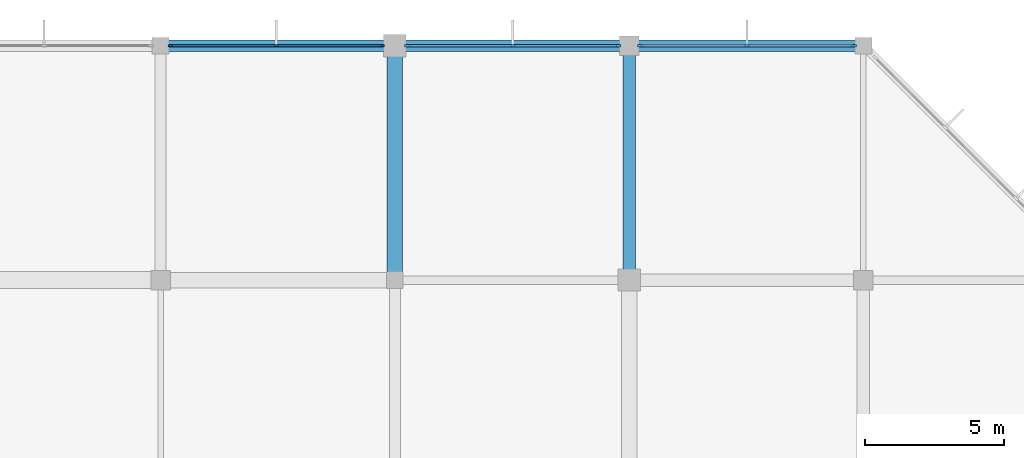
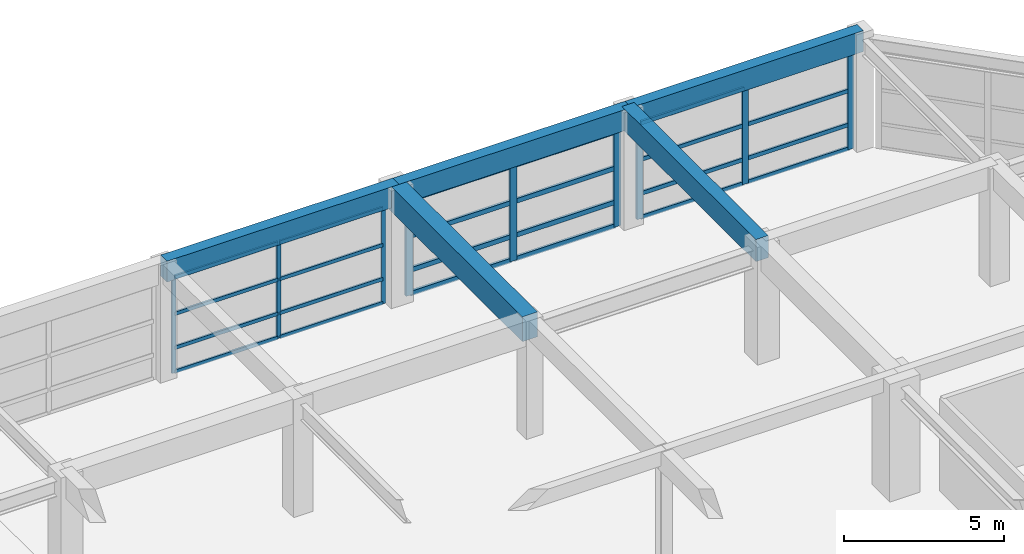
# One storey, part 40 of 62: 33 members, 5 beams, 3 elements without a shape of their own.
"""IFC4 building model written with IfcOpenShell, lengths in metres."""

from ifc_helpers import new_model, si_unit, direction, frame, origin, origin_2d, place, context, subcontext, project, spatial, rectangle, extrude, material, material_profile, profile_set, type_object, element, aggregate, save


model = new_model("IFC4")

# Units and contexts
model_context = context("Model", 3, precision=1e-05, world=origin(), true_north=direction((0.0, 1.0)))
body_context = subcontext(model_context, "Body", "Model", "MODEL_VIEW")
ifc_project = project(units=[si_unit("LENGTHUNIT", "METRE"), si_unit("AREAUNIT", "SQUARE_METRE"), si_unit("VOLUMEUNIT", "CUBIC_METRE"), si_unit("PLANEANGLEUNIT", "RADIAN"), si_unit("MASSUNIT", "GRAM", prefix="KILO")], contexts=[model_context])

# Site, building, storey
site_placement = place(None, origin())
site = spatial("IfcSite", under=ifc_project, at=site_placement, CompositionType="ELEMENT")
building_placement = place(site_placement, origin())
building = spatial("IfcBuilding", under=site, at=building_placement, Name="Xuanlan Plaza Opera House", CompositionType="ELEMENT")
storey_placement = place(building_placement, frame((0.0, 0.0, 14.39990234375)))
storey = spatial("IfcBuildingStorey", under=building, at=storey_placement, Name="L03", CompositionType="ELEMENT", Elevation=14.39990234375)

# Curtain wall, members
ifc_material_1 = material(Name="Anodised Aluminium 6063-T6 and Low-E Glass", Category="aluminium")
curtain_wall_type_1 = type_object("IfcCurtainWallType", Name="ENV-CW-CW-04", PredefinedType="USERDEFINED", material=ifc_material_1)
curtain_wall_1_placement = place(storey_placement, origin())
curtain_wall_1 = element("IfcCurtainWall", 1, at=curtain_wall_1_placement, inside=storey, type_object=curtain_wall_type_1, Name="Unitised Curtain Wall L03-031", ObjectType="UNITISED CURTAIN WALL", PredefinedType="USERDEFINED")
ifc_material_2 = material(Name="Anodised Aluminium 6063-T6", Category="aluminium")
ifc_material_profile_1 = material_profile(ifc_material_2, rectangle(XDim=0.06494140625, YDim=0.159912109375, at=origin_2d()), Name="ALU-M 65x160")
ifc_profile_set_1 = profile_set([ifc_material_profile_1], Name="Anodised Aluminium 6063-T6")
member_type_1 = type_object("IfcMemberType", Name="ENV-CWM-01", PredefinedType="MULLION", material=ifc_profile_set_1)
member_1_placement = place(storey_placement, frame((142.347412109375, 100.800048828125, 0.0), z_axis=(0.0, 0.0, 1.0), x_axis=(0.0, -1.0, 0.0)))
member_1 = element("IfcMember", 2, at=member_1_placement, type_object=member_type_1, Name="CW-04 mullion 1", PredefinedType="MULLION", context=body_context, shape_type="SweptSolid", body=[
    extrude(rectangle(XDim=0.06494140625, YDim=0.159912109375, at=origin_2d()), origin(), (0.0, 0.0, 1.0), 3.68017578125),
])
member_2_placement = place(storey_placement, frame((138.550048828125, 100.800048828125, 0.0), z_axis=(0.0, 0.0, 1.0), x_axis=(0.0, -1.0, 0.0)))
member_2 = element("IfcMember", 3, at=member_2_placement, type_object=member_type_1, Name="CW-04 mullion 2", PredefinedType="MULLION", context=body_context, shape_type="SweptSolid", body=[
    extrude(rectangle(XDim=0.06494140625, YDim=0.159912109375, at=origin_2d()), origin(), (0.0, 0.0, 1.0), 3.68017578125),
])
member_3_placement = place(storey_placement, frame((134.75244140625, 100.800048828125, 0.0), z_axis=(0.0, 0.0, 1.0), x_axis=(0.0, -1.0, 0.0)))
member_3 = element("IfcMember", 4, at=member_3_placement, type_object=member_type_1, Name="CW-04 mullion 3", PredefinedType="MULLION", context=body_context, shape_type="SweptSolid", body=[
    extrude(rectangle(XDim=0.06494140625, YDim=0.159912109375, at=origin_2d()), origin(), (0.0, 0.0, 1.0), 3.68017578125),
])

curtain_wall_type_2 = type_object("IfcCurtainWallType", Name="ENV-CW-CW-02", PredefinedType="USERDEFINED", material=ifc_material_1)
curtain_wall_2_placement = place(storey_placement, origin())
curtain_wall_2 = element("IfcCurtainWall", 5, at=curtain_wall_2_placement, inside=storey, type_object=curtain_wall_type_2, Name="Unitised Curtain Wall L03-029", ObjectType="UNITISED CURTAIN WALL", PredefinedType="USERDEFINED")
ifc_material_profile_2 = material_profile(ifc_material_2, rectangle(XDim=0.080078125, YDim=0.219970703125, at=origin_2d()), Name="ALU-M 80x220")
ifc_profile_set_2 = profile_set([ifc_material_profile_2], Name="Anodised Aluminium 6063-T6")
member_type_2 = type_object("IfcMemberType", Name="ENV-CWM-04", PredefinedType="MULLION", material=ifc_profile_set_2)
member_4_placement = place(storey_placement, frame((159.239990234375, 100.800048828125, 0.0), z_axis=(0.0, 0.0, 1.0), x_axis=(0.0, -1.0, 0.0)))
member_4 = element("IfcMember", 6, at=member_4_placement, type_object=member_type_2, Name="CW-02 mullion 1", PredefinedType="MULLION", context=body_context, shape_type="SweptSolid", body=[
    extrude(rectangle(XDim=0.080078125, YDim=0.219970703125, at=origin_2d()), origin(), (0.0, 0.0, 1.0), 3.68017578125),
])
member_5_placement = place(storey_placement, frame((155.425048828125, 100.800048828125, 0.0), z_axis=(0.0, 0.0, 1.0), x_axis=(0.0, -1.0, 0.0)))
member_5 = element("IfcMember", 7, at=member_5_placement, type_object=member_type_2, Name="CW-02 mullion 2", PredefinedType="MULLION", context=body_context, shape_type="SweptSolid", body=[
    extrude(rectangle(XDim=0.080078125, YDim=0.219970703125, at=origin_2d()), origin(), (0.0, 0.0, 1.0), 3.68017578125),
])
member_6_placement = place(storey_placement, frame((151.610107421875, 100.800048828125, 0.0), z_axis=(0.0, 0.0, 1.0), x_axis=(0.0, -1.0, 0.0)))
member_6 = element("IfcMember", 8, at=member_6_placement, type_object=member_type_2, Name="CW-02 mullion 3", PredefinedType="MULLION", context=body_context, shape_type="SweptSolid", body=[
    extrude(rectangle(XDim=0.080078125, YDim=0.219970703125, at=origin_2d()), origin(), (0.0, 0.0, 1.0), 3.68017578125),
])

curtain_wall_type_3 = type_object("IfcCurtainWallType", Name="ENV-CW-CW-03", PredefinedType="USERDEFINED", material=ifc_material_1)
curtain_wall_3_placement = place(storey_placement, origin())
curtain_wall_3 = element("IfcCurtainWall", 9, at=curtain_wall_3_placement, inside=storey, type_object=curtain_wall_type_3, Name="Unitised Curtain Wall L03-030", ObjectType="UNITISED CURTAIN WALL", PredefinedType="USERDEFINED")
ifc_material_profile_3 = material_profile(ifc_material_2, rectangle(XDim=0.090087890625, YDim=0.25, at=origin_2d()), Name="ALU-M 90x250")
ifc_profile_set_3 = profile_set([ifc_material_profile_3], Name="Anodised Aluminium 6063-T6")
member_type_3 = type_object("IfcMemberType", Name="ENV-CWM-05", PredefinedType="MULLION", material=ifc_profile_set_3)
member_7_placement = place(storey_placement, frame((150.784912109375, 100.800048828125, 0.0), z_axis=(0.0, 0.0, 1.0), x_axis=(0.0, -1.0, 0.0)))
member_7 = element("IfcMember", 10, at=member_7_placement, type_object=member_type_3, Name="CW-03 mullion 1", PredefinedType="MULLION", context=body_context, shape_type="SweptSolid", body=[
    extrude(rectangle(XDim=0.090087890625, YDim=0.25, at=origin_2d()), origin(), (0.0, 0.0, 1.0), 3.68017578125),
])
member_8_placement = place(storey_placement, frame((147.02490234375, 100.800048828125, 0.0), z_axis=(0.0, 0.0, 1.0), x_axis=(0.0, -1.0, 0.0)))
member_8 = element("IfcMember", 11, at=member_8_placement, type_object=member_type_3, Name="CW-03 mullion 2", PredefinedType="MULLION", context=body_context, shape_type="SweptSolid", body=[
    extrude(rectangle(XDim=0.090087890625, YDim=0.25, at=origin_2d()), origin(), (0.0, 0.0, 1.0), 3.68017578125),
])
member_9_placement = place(storey_placement, frame((143.264892578125, 100.800048828125, 0.0), z_axis=(0.0, 0.0, 1.0), x_axis=(0.0, -1.0, 0.0)))
member_9 = element("IfcMember", 12, at=member_9_placement, type_object=member_type_3, Name="CW-03 mullion 3", PredefinedType="MULLION", context=body_context, shape_type="SweptSolid", body=[
    extrude(rectangle(XDim=0.090087890625, YDim=0.25, at=origin_2d()), origin(), (0.0, 0.0, 1.0), 3.68017578125),
])

# Member
ifc_material_profile_4 = material_profile(ifc_material_2, rectangle(XDim=0.070068359375, YDim=0.135009765625, at=origin_2d()), Name="ALU-T 70x135")
ifc_profile_set_4 = profile_set([ifc_material_profile_4], Name="Anodised Aluminium 6063-T6")
member_type_4 = type_object("IfcMemberType", Name="ENV-CWT-02", PredefinedType="USERDEFINED", material=ifc_profile_set_4)
member_10_placement = place(storey_placement, frame((142.31494140625, 100.800048828125, 0.03515625), z_axis=(-1.0, 0.0, 0.0), x_axis=(0.0, -1.0, 0.0)))
member_10 = element("IfcMember", 13, at=member_10_placement, type_object=member_type_4, Name="CW-04 transom 1.1", ObjectType="TRANSOM", PredefinedType="USERDEFINED", context=body_context, shape_type="SweptSolid", body=[
    extrude(rectangle(XDim=0.070068359375, YDim=0.135009765625, at=origin_2d()), origin(), (0.0, 0.0, 1.0), 3.732421875),
])

member_11_placement = place(storey_placement, frame((142.31494140625, 100.800048828125, 0.9501953125), z_axis=(-1.0, 0.0, 0.0), x_axis=(0.0, -1.0, 0.0)))
member_11 = element("IfcMember", 14, at=member_11_placement, type_object=member_type_4, Name="CW-04 transom 1.2", ObjectType="TRANSOM", PredefinedType="USERDEFINED", context=body_context, shape_type="SweptSolid", body=[
    extrude(rectangle(XDim=0.070068359375, YDim=0.135009765625, at=origin_2d()), origin(), (0.0, 0.0, 1.0), 3.732421875),
])

member_12_placement = place(storey_placement, frame((142.31494140625, 100.800048828125, 2.25), z_axis=(-1.0, 0.0, 0.0), x_axis=(0.0, -1.0, 0.0)))
member_12 = element("IfcMember", 15, at=member_12_placement, type_object=member_type_4, Name="CW-04 transom 1.3", ObjectType="TRANSOM", PredefinedType="USERDEFINED", context=body_context, shape_type="SweptSolid", body=[
    extrude(rectangle(XDim=0.070068359375, YDim=0.135009765625, at=origin_2d()), origin(), (0.0, 0.0, 1.0), 3.732421875),
])

member_13_placement = place(storey_placement, frame((142.31494140625, 100.800048828125, 3.64501953125), z_axis=(-1.0, 0.0, 0.0), x_axis=(0.0, -1.0, 0.0)))
member_13 = element("IfcMember", 16, at=member_13_placement, type_object=member_type_4, Name="CW-04 transom 1.4", ObjectType="TRANSOM", PredefinedType="USERDEFINED", context=body_context, shape_type="SweptSolid", body=[
    extrude(rectangle(XDim=0.070068359375, YDim=0.135009765625, at=origin_2d()), origin(), (0.0, 0.0, 1.0), 3.732421875),
])

member_14_placement = place(storey_placement, frame((138.517578125, 100.800048828125, 0.03515625), z_axis=(-1.0, 0.0, 0.0), x_axis=(0.0, -1.0, 0.0)))
member_14 = element("IfcMember", 17, at=member_14_placement, type_object=member_type_4, Name="CW-04 transom 2.1", ObjectType="TRANSOM", PredefinedType="USERDEFINED", context=body_context, shape_type="SweptSolid", body=[
    extrude(rectangle(XDim=0.070068359375, YDim=0.135009765625, at=origin_2d()), origin(), (0.0, 0.0, 1.0), 3.732666015625),
])

member_15_placement = place(storey_placement, frame((138.517578125, 100.800048828125, 0.9501953125), z_axis=(-1.0, 0.0, 0.0), x_axis=(0.0, -1.0, 0.0)))
member_15 = element("IfcMember", 18, at=member_15_placement, type_object=member_type_4, Name="CW-04 transom 2.2", ObjectType="TRANSOM", PredefinedType="USERDEFINED", context=body_context, shape_type="SweptSolid", body=[
    extrude(rectangle(XDim=0.070068359375, YDim=0.135009765625, at=origin_2d()), origin(), (0.0, 0.0, 1.0), 3.732666015625),
])

member_16_placement = place(storey_placement, frame((138.517578125, 100.800048828125, 2.25), z_axis=(-1.0, 0.0, 0.0), x_axis=(0.0, -1.0, 0.0)))
member_16 = element("IfcMember", 19, at=member_16_placement, type_object=member_type_4, Name="CW-04 transom 2.3", ObjectType="TRANSOM", PredefinedType="USERDEFINED", context=body_context, shape_type="SweptSolid", body=[
    extrude(rectangle(XDim=0.070068359375, YDim=0.135009765625, at=origin_2d()), origin(), (0.0, 0.0, 1.0), 3.732666015625),
])

member_17_placement = place(storey_placement, frame((138.517578125, 100.800048828125, 3.64501953125), z_axis=(-1.0, 0.0, 0.0), x_axis=(0.0, -1.0, 0.0)))
member_17 = element("IfcMember", 20, at=member_17_placement, type_object=member_type_4, Name="CW-04 transom 2.4", ObjectType="TRANSOM", PredefinedType="USERDEFINED", context=body_context, shape_type="SweptSolid", body=[
    extrude(rectangle(XDim=0.070068359375, YDim=0.135009765625, at=origin_2d()), origin(), (0.0, 0.0, 1.0), 3.732666015625),
])

aggregate(curtain_wall_1, [member_1, member_2, member_3, member_10, member_11, member_12, member_13, member_14, member_15, member_16, member_17])

ifc_material_profile_5 = material_profile(ifc_material_2, rectangle(XDim=0.074951171875, YDim=0.14990234375, at=origin_2d()), Name="ALU-T 75x150")
ifc_profile_set_5 = profile_set([ifc_material_profile_5], Name="Anodised Aluminium 6063-T6")
member_type_5 = type_object("IfcMemberType", Name="ENV-CWT-03", PredefinedType="USERDEFINED", material=ifc_profile_set_5)
member_18_placement = place(storey_placement, frame((159.199951171875, 100.800048828125, 0.03759765625), z_axis=(-1.0, 0.0, 0.0), x_axis=(0.0, -1.0, 0.0)))
member_18 = element("IfcMember", 21, at=member_18_placement, type_object=member_type_5, Name="CW-02 transom 1.1", ObjectType="TRANSOM", PredefinedType="USERDEFINED", context=body_context, shape_type="SweptSolid", body=[
    extrude(rectangle(XDim=0.074951171875, YDim=0.14990234375, at=origin_2d()), origin(), (0.0, 0.0, 1.0), 3.73486328125),
])

member_19_placement = place(storey_placement, frame((159.199951171875, 100.800048828125, 0.9501953125), z_axis=(-1.0, 0.0, 0.0), x_axis=(0.0, -1.0, 0.0)))
member_19 = element("IfcMember", 22, at=member_19_placement, type_object=member_type_5, Name="CW-02 transom 1.2", ObjectType="TRANSOM", PredefinedType="USERDEFINED", context=body_context, shape_type="SweptSolid", body=[
    extrude(rectangle(XDim=0.074951171875, YDim=0.14990234375, at=origin_2d()), origin(), (0.0, 0.0, 1.0), 3.73486328125),
])

member_20_placement = place(storey_placement, frame((159.199951171875, 100.800048828125, 2.25), z_axis=(-1.0, 0.0, 0.0), x_axis=(0.0, -1.0, 0.0)))
member_20 = element("IfcMember", 23, at=member_20_placement, type_object=member_type_5, Name="CW-02 transom 1.3", ObjectType="TRANSOM", PredefinedType="USERDEFINED", context=body_context, shape_type="SweptSolid", body=[
    extrude(rectangle(XDim=0.074951171875, YDim=0.14990234375, at=origin_2d()), origin(), (0.0, 0.0, 1.0), 3.73486328125),
])

member_21_placement = place(storey_placement, frame((159.199951171875, 100.800048828125, 3.642578125), z_axis=(-1.0, 0.0, 0.0), x_axis=(0.0, -1.0, 0.0)))
member_21 = element("IfcMember", 24, at=member_21_placement, type_object=member_type_5, Name="CW-02 transom 1.4", ObjectType="TRANSOM", PredefinedType="USERDEFINED", context=body_context, shape_type="SweptSolid", body=[
    extrude(rectangle(XDim=0.074951171875, YDim=0.14990234375, at=origin_2d()), origin(), (0.0, 0.0, 1.0), 3.73486328125),
])

member_22_placement = place(storey_placement, frame((155.385009765625, 100.800048828125, 0.03759765625), z_axis=(-1.0, 0.0, 0.0), x_axis=(0.0, -1.0, 0.0)))
member_22 = element("IfcMember", 25, at=member_22_placement, type_object=member_type_5, Name="CW-02 transom 2.1", ObjectType="TRANSOM", PredefinedType="USERDEFINED", context=body_context, shape_type="SweptSolid", body=[
    extrude(rectangle(XDim=0.074951171875, YDim=0.14990234375, at=origin_2d()), origin(), (0.0, 0.0, 1.0), 3.735107421875),
])

member_23_placement = place(storey_placement, frame((155.385009765625, 100.800048828125, 0.9501953125), z_axis=(-1.0, 0.0, 0.0), x_axis=(0.0, -1.0, 0.0)))
member_23 = element("IfcMember", 26, at=member_23_placement, type_object=member_type_5, Name="CW-02 transom 2.2", ObjectType="TRANSOM", PredefinedType="USERDEFINED", context=body_context, shape_type="SweptSolid", body=[
    extrude(rectangle(XDim=0.074951171875, YDim=0.14990234375, at=origin_2d()), origin(), (0.0, 0.0, 1.0), 3.735107421875),
])

member_24_placement = place(storey_placement, frame((155.385009765625, 100.800048828125, 2.25), z_axis=(-1.0, 0.0, 0.0), x_axis=(0.0, -1.0, 0.0)))
member_24 = element("IfcMember", 27, at=member_24_placement, type_object=member_type_5, Name="CW-02 transom 2.3", ObjectType="TRANSOM", PredefinedType="USERDEFINED", context=body_context, shape_type="SweptSolid", body=[
    extrude(rectangle(XDim=0.074951171875, YDim=0.14990234375, at=origin_2d()), origin(), (0.0, 0.0, 1.0), 3.735107421875),
])

member_25_placement = place(storey_placement, frame((155.385009765625, 100.800048828125, 3.642578125), z_axis=(-1.0, 0.0, 0.0), x_axis=(0.0, -1.0, 0.0)))
member_25 = element("IfcMember", 28, at=member_25_placement, type_object=member_type_5, Name="CW-02 transom 2.4", ObjectType="TRANSOM", PredefinedType="USERDEFINED", context=body_context, shape_type="SweptSolid", body=[
    extrude(rectangle(XDim=0.074951171875, YDim=0.14990234375, at=origin_2d()), origin(), (0.0, 0.0, 1.0), 3.735107421875),
])

aggregate(curtain_wall_2, [member_4, member_5, member_6, member_18, member_19, member_20, member_21, member_22, member_23, member_24, member_25])

ifc_material_profile_6 = material_profile(ifc_material_2, rectangle(XDim=0.090087890625, YDim=0.179931640625, at=origin_2d()), Name="ALU-T 90x180")
ifc_profile_set_6 = profile_set([ifc_material_profile_6], Name="Anodised Aluminium 6063-T6")
member_type_6 = type_object("IfcMemberType", Name="ENV-CWT-05", PredefinedType="USERDEFINED", material=ifc_profile_set_6)
member_26_placement = place(storey_placement, frame((150.739990234375, 100.800048828125, 0.045166015625), z_axis=(-1.0, 0.0, 0.0), x_axis=(0.0, -1.0, 0.0)))
member_26 = element("IfcMember", 29, at=member_26_placement, type_object=member_type_6, Name="CW-03 transom 1.1", ObjectType="TRANSOM", PredefinedType="USERDEFINED", context=body_context, shape_type="SweptSolid", body=[
    extrude(rectangle(XDim=0.090087890625, YDim=0.179931640625, at=origin_2d()), origin(), (0.0, 0.0, 1.0), 3.669921875),
])

member_27_placement = place(storey_placement, frame((150.739990234375, 100.800048828125, 0.9501953125), z_axis=(-1.0, 0.0, 0.0), x_axis=(0.0, -1.0, 0.0)))
member_27 = element("IfcMember", 30, at=member_27_placement, type_object=member_type_6, Name="CW-03 transom 1.2", ObjectType="TRANSOM", PredefinedType="USERDEFINED", context=body_context, shape_type="SweptSolid", body=[
    extrude(rectangle(XDim=0.090087890625, YDim=0.179931640625, at=origin_2d()), origin(), (0.0, 0.0, 1.0), 3.669921875),
])

member_28_placement = place(storey_placement, frame((150.739990234375, 100.800048828125, 2.25), z_axis=(-1.0, 0.0, 0.0), x_axis=(0.0, -1.0, 0.0)))
member_28 = element("IfcMember", 31, at=member_28_placement, type_object=member_type_6, Name="CW-03 transom 1.3", ObjectType="TRANSOM", PredefinedType="USERDEFINED", context=body_context, shape_type="SweptSolid", body=[
    extrude(rectangle(XDim=0.090087890625, YDim=0.179931640625, at=origin_2d()), origin(), (0.0, 0.0, 1.0), 3.669921875),
])

member_29_placement = place(storey_placement, frame((150.739990234375, 100.800048828125, 3.635009765625), z_axis=(-1.0, 0.0, 0.0), x_axis=(0.0, -1.0, 0.0)))
member_29 = element("IfcMember", 32, at=member_29_placement, type_object=member_type_6, Name="CW-03 transom 1.4", ObjectType="TRANSOM", PredefinedType="USERDEFINED", context=body_context, shape_type="SweptSolid", body=[
    extrude(rectangle(XDim=0.090087890625, YDim=0.179931640625, at=origin_2d()), origin(), (0.0, 0.0, 1.0), 3.669921875),
])

member_30_placement = place(storey_placement, frame((146.97998046875, 100.800048828125, 0.045166015625), z_axis=(-1.0, 0.0, 0.0), x_axis=(0.0, -1.0, 0.0)))
member_30 = element("IfcMember", 33, at=member_30_placement, type_object=member_type_6, Name="CW-03 transom 2.1", ObjectType="TRANSOM", PredefinedType="USERDEFINED", context=body_context, shape_type="SweptSolid", body=[
    extrude(rectangle(XDim=0.090087890625, YDim=0.179931640625, at=origin_2d()), origin(), (0.0, 0.0, 1.0), 3.669921875),
])

member_31_placement = place(storey_placement, frame((146.97998046875, 100.800048828125, 0.9501953125), z_axis=(-1.0, 0.0, 0.0), x_axis=(0.0, -1.0, 0.0)))
member_31 = element("IfcMember", 34, at=member_31_placement, type_object=member_type_6, Name="CW-03 transom 2.2", ObjectType="TRANSOM", PredefinedType="USERDEFINED", context=body_context, shape_type="SweptSolid", body=[
    extrude(rectangle(XDim=0.090087890625, YDim=0.179931640625, at=origin_2d()), origin(), (0.0, 0.0, 1.0), 3.669921875),
])

member_32_placement = place(storey_placement, frame((146.97998046875, 100.800048828125, 2.25), z_axis=(-1.0, 0.0, 0.0), x_axis=(0.0, -1.0, 0.0)))
member_32 = element("IfcMember", 35, at=member_32_placement, type_object=member_type_6, Name="CW-03 transom 2.3", ObjectType="TRANSOM", PredefinedType="USERDEFINED", context=body_context, shape_type="SweptSolid", body=[
    extrude(rectangle(XDim=0.090087890625, YDim=0.179931640625, at=origin_2d()), origin(), (0.0, 0.0, 1.0), 3.669921875),
])

member_33_placement = place(storey_placement, frame((146.97998046875, 100.800048828125, 3.635009765625), z_axis=(-1.0, 0.0, 0.0), x_axis=(0.0, -1.0, 0.0)))
member_33 = element("IfcMember", 36, at=member_33_placement, type_object=member_type_6, Name="CW-03 transom 2.4", ObjectType="TRANSOM", PredefinedType="USERDEFINED", context=body_context, shape_type="SweptSolid", body=[
    extrude(rectangle(XDim=0.090087890625, YDim=0.179931640625, at=origin_2d()), origin(), (0.0, 0.0, 1.0), 3.669921875),
])

aggregate(curtain_wall_3, [member_7, member_8, member_9, member_26, member_27, member_28, member_29, member_30, member_31, member_32, member_33])

# Beams
ifc_material_3 = material(Name="Concrete C50", Category="concrete")
ifc_material_profile_7 = material_profile(ifc_material_3, rectangle(XDim=0.550048828125, YDim=0.949951171875, at=origin_2d()), Name="RC-BM 550x950")
ifc_profile_set_7 = profile_set([ifc_material_profile_7], Name="Concrete C50")
beam_type_1 = type_object("IfcBeamType", Name="STR-BM-B-02", PredefinedType="BEAM", material=ifc_profile_set_7)
beam_1_placement = place(storey_placement, frame((142.800048828125, 92.39990234375, 4.025146484375), z_axis=(0.0, 1.0, 0.0), x_axis=(-1.0, 0.0, 0.0)))
element("IfcBeam", 37, at=beam_1_placement, inside=storey, type_object=beam_type_1, Name="Grid Beam Y L03 18/L-M", PredefinedType="BEAM", context=body_context, shape_type="SweptSolid", body=[
    extrude(rectangle(XDim=0.550048828125, YDim=0.949951171875, at=origin_2d()), origin(), (0.0, 0.0, 1.0), 8.400146484375),
])
ifc_material_4 = material(Name="Concrete C40", Category="concrete")
ifc_material_profile_8 = material_profile(ifc_material_4, rectangle(XDim=0.449951171875, YDim=0.85009765625, at=origin_2d()), Name="RC-BM 450x850")
ifc_profile_set_8 = profile_set([ifc_material_profile_8], Name="Concrete C40")
beam_type_2 = type_object("IfcBeamType", Name="STR-BM-B-04", PredefinedType="BEAM", material=ifc_profile_set_8)
beam_2_placement = place(storey_placement, frame((151.199951171875, 92.39990234375, 4.0751953125), z_axis=(0.0, 1.0, 0.0), x_axis=(-1.0, 0.0, 0.0)))
element("IfcBeam", 38, at=beam_2_placement, inside=storey, type_object=beam_type_2, Name="Grid Beam Y L03 19/L-M", PredefinedType="BEAM", context=body_context, shape_type="SweptSolid", body=[
    extrude(rectangle(XDim=0.449951171875, YDim=0.85009765625, at=origin_2d()), origin(), (0.0, 0.0, 1.0), 8.400146484375),
])
ifc_material_profile_9 = material_profile(ifc_material_4, rectangle(XDim=0.39990234375, YDim=0.800048828125, at=origin_2d()), Name="RC-SPD 400x800")
ifc_profile_set_9 = profile_set([ifc_material_profile_9], Name="Concrete C40")
beam_type_3 = type_object("IfcBeamType", Name="STR-BM-SP-01", PredefinedType="SPANDREL", material=ifc_profile_set_9)
beam_3_placement = place(storey_placement, frame((134.39990234375, 100.800048828125, 4.10009765625), z_axis=(1.0, 0.0, 0.0), x_axis=(0.0, 1.0, 0.0)))
element("IfcBeam", 39, at=beam_3_placement, inside=storey, type_object=beam_type_3, Name="Grid Beam X L03 17-18/M", PredefinedType="SPANDREL", context=body_context, shape_type="SweptSolid", body=[
    extrude(rectangle(XDim=0.39990234375, YDim=0.800048828125, at=origin_2d()), origin(), (0.0, 0.0, 1.0), 8.400146484375),
])
beam_4_placement = place(storey_placement, frame((142.800048828125, 100.800048828125, 4.10009765625), z_axis=(1.0, 0.0, 0.0), x_axis=(0.0, 1.0, 0.0)))
element("IfcBeam", 40, at=beam_4_placement, inside=storey, type_object=beam_type_3, Name="Grid Beam X L03 18-19/M", PredefinedType="SPANDREL", context=body_context, shape_type="SweptSolid", body=[
    extrude(rectangle(XDim=0.39990234375, YDim=0.800048828125, at=origin_2d()), origin(), (0.0, 0.0, 1.0), 8.39990234375),
])
beam_5_placement = place(storey_placement, frame((151.199951171875, 100.800048828125, 4.10009765625), z_axis=(1.0, 0.0, 0.0), x_axis=(0.0, 1.0, 0.0)))
element("IfcBeam", 41, at=beam_5_placement, inside=storey, type_object=beam_type_3, Name="Grid Beam X L03 19-20/M", PredefinedType="SPANDREL", context=body_context, shape_type="SweptSolid", body=[
    extrude(rectangle(XDim=0.39990234375, YDim=0.800048828125, at=origin_2d()), origin(), (0.0, 0.0, 1.0), 8.400146484375),
])

save(model, "model.ifc")
